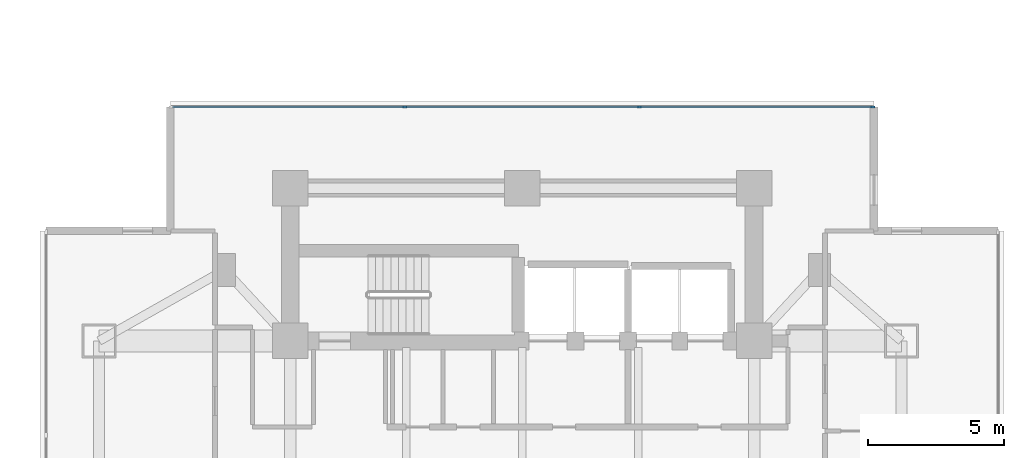
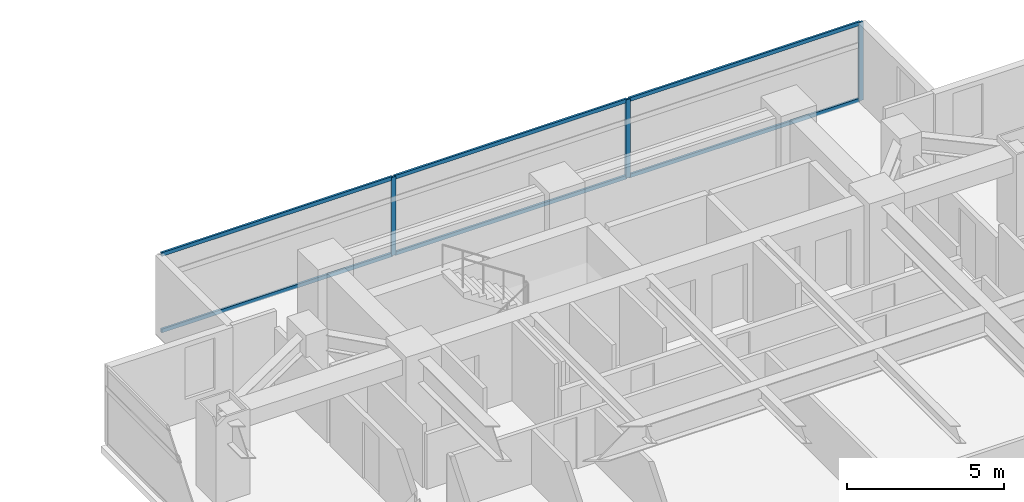
# One storey, part 12 of 27: 9 members, 1 element without a shape of its own.
"""IFC4 building model written with IfcOpenShell, lengths in metres."""

from ifc_helpers import new_model, si_unit, direction, frame, origin, origin_2d, place, context, subcontext, project, spatial, rectangle, extrude, material, material_profile, profile_set, type_object, element, aggregate, save


model = new_model("IFC4")

# Units and contexts
model_context = context("Model", 3, precision=1e-05, world=origin(), true_north=direction((0.0, 1.0)))
body_context = subcontext(model_context, "Body", "Model", "MODEL_VIEW")
ifc_project = project(units=[si_unit("LENGTHUNIT", "METRE"), si_unit("AREAUNIT", "SQUARE_METRE"), si_unit("VOLUMEUNIT", "CUBIC_METRE"), si_unit("PLANEANGLEUNIT", "RADIAN"), si_unit("MASSUNIT", "GRAM", prefix="KILO")], contexts=[model_context])

# Site, building, storey
site_placement = place(None, origin())
site = spatial("IfcSite", under=ifc_project, at=site_placement, CompositionType="ELEMENT")
building_placement = place(site_placement, origin())
building = spatial("IfcBuilding", under=site, at=building_placement, Name="Mirazonda Arch Towers", CompositionType="ELEMENT")
storey_placement = place(building_placement, frame((0.0, 0.0, 52.10009765625)))
storey = spatial("IfcBuildingStorey", under=building, at=storey_placement, Name="L14", CompositionType="ELEMENT", Elevation=52.10009765625)

# Curtain wall, members
ifc_material_1 = material(Name="Anodised Aluminium and Low-E Glass", Category="aluminium")
curtain_wall_type = type_object("IfcCurtainWallType", Name="CW-HTL-UNIT", PredefinedType="NOTDEFINED", material=ifc_material_1)
curtain_wall_placement = place(storey_placement, origin())
curtain_wall = element("IfcCurtainWall", 1, at=curtain_wall_placement, inside=storey, type_object=curtain_wall_type, Name="L14 T2 N Facade CW-L14-T2-N", PredefinedType="NOTDEFINED")
ifc_material_2 = material(Name="Anodised Aluminium Alloy", Category="aluminium")
ifc_material_profile_1 = material_profile(ifc_material_2, rectangle(XDim=0.074951171875, YDim=0.1650390625, at=origin_2d()), Name="ALU-MULL-75x165")
ifc_profile_set_1 = profile_set([ifc_material_profile_1], Name="Anodised Aluminium Alloy")
member_type_1 = type_object("IfcMemberType", Name="MULL-CW-HTL-UNIT", PredefinedType="MULLION", material=ifc_profile_set_1)
member_1_placement = place(storey_placement, frame((72.201904296875, 43.77587890625, 0.0), z_axis=(0.0, 0.0, 1.0), x_axis=(0.0, 1.0, 0.0)))
member_1 = element("IfcMember", 2, at=member_1_placement, type_object=member_type_1, Name="CW-112 mullion 2", PredefinedType="MULLION", context=body_context, shape_type="SweptSolid", body=[
    extrude(rectangle(XDim=0.074951171875, YDim=0.1650390625, at=origin_2d()), origin(), (0.0, 0.0, 1.0), 3.039794921875),
])
member_2_placement = place(storey_placement, frame((80.798095703125, 43.77587890625, 0.0), z_axis=(0.0, 0.0, 1.0), x_axis=(0.0, 1.0, 0.0)))
member_2 = element("IfcMember", 3, at=member_2_placement, type_object=member_type_1, Name="CW-112 mullion 3", PredefinedType="MULLION", context=body_context, shape_type="SweptSolid", body=[
    extrude(rectangle(XDim=0.074951171875, YDim=0.1650390625, at=origin_2d()), origin(), (0.0, 0.0, 1.0), 3.039794921875),
])
member_3_placement = place(storey_placement, frame((89.3564453125, 43.77587890625, 0.0), z_axis=(0.0, 0.0, 1.0), x_axis=(0.0, 1.0, 0.0)))
member_3 = element("IfcMember", 4, at=member_3_placement, type_object=member_type_1, Name="CW-112 mullion 4", PredefinedType="MULLION", context=body_context, shape_type="SweptSolid", body=[
    extrude(rectangle(XDim=0.074951171875, YDim=0.1650390625, at=origin_2d()), origin(), (0.0, 0.0, 1.0), 3.039794921875),
])
ifc_material_profile_2 = material_profile(ifc_material_2, rectangle(XDim=0.074951171875, YDim=0.14501953125, at=origin_2d()), Name="ALU-TRAN-75x145")
ifc_profile_set_2 = profile_set([ifc_material_profile_2], Name="Anodised Aluminium Alloy")
member_type_2 = type_object("IfcMemberType", Name="TRAN-CW-HTL-UNIT", PredefinedType="USERDEFINED", material=ifc_profile_set_2)
member_4_placement = place(storey_placement, frame((63.680908203125, 43.77587890625, 0.037353515625), z_axis=(1.0, 0.0, 0.0), x_axis=(0.0, 1.0, 0.0)))
member_4 = element("IfcMember", 5, at=member_4_placement, type_object=member_type_2, Name="CW-112 transom 1.1", ObjectType="TRANSOM", PredefinedType="USERDEFINED", context=body_context, shape_type="SweptSolid", body=[
    extrude(rectangle(XDim=0.074951171875, YDim=0.14501953125, at=origin_2d()), origin(), (0.0, 0.0, 1.0), 8.483642578125),
])
member_5_placement = place(storey_placement, frame((63.680908203125, 43.77587890625, 3.00244140625), z_axis=(1.0, 0.0, 0.0), x_axis=(0.0, 1.0, 0.0)))
member_5 = element("IfcMember", 6, at=member_5_placement, type_object=member_type_2, Name="CW-112 transom 1.2", ObjectType="TRANSOM", PredefinedType="USERDEFINED", context=body_context, shape_type="SweptSolid", body=[
    extrude(rectangle(XDim=0.074951171875, YDim=0.14501953125, at=origin_2d()), origin(), (0.0, 0.0, 1.0), 8.483642578125),
])
member_6_placement = place(storey_placement, frame((72.239501953125, 43.77587890625, 0.037353515625), z_axis=(1.0, 0.0, 0.0), x_axis=(0.0, 1.0, 0.0)))
member_6 = element("IfcMember", 7, at=member_6_placement, type_object=member_type_2, Name="CW-112 transom 2.1", ObjectType="TRANSOM", PredefinedType="USERDEFINED", context=body_context, shape_type="SweptSolid", body=[
    extrude(rectangle(XDim=0.074951171875, YDim=0.14501953125, at=origin_2d()), origin(), (0.0, 0.0, 1.0), 8.52099609375),
])
member_7_placement = place(storey_placement, frame((72.239501953125, 43.77587890625, 3.00244140625), z_axis=(1.0, 0.0, 0.0), x_axis=(0.0, 1.0, 0.0)))
member_7 = element("IfcMember", 8, at=member_7_placement, type_object=member_type_2, Name="CW-112 transom 2.2", ObjectType="TRANSOM", PredefinedType="USERDEFINED", context=body_context, shape_type="SweptSolid", body=[
    extrude(rectangle(XDim=0.074951171875, YDim=0.14501953125, at=origin_2d()), origin(), (0.0, 0.0, 1.0), 8.52099609375),
])
member_8_placement = place(storey_placement, frame((80.83544921875, 43.77587890625, 0.037353515625), z_axis=(1.0, 0.0, 0.0), x_axis=(0.0, 1.0, 0.0)))
member_8 = element("IfcMember", 9, at=member_8_placement, type_object=member_type_2, Name="CW-112 transom 3.1", ObjectType="TRANSOM", PredefinedType="USERDEFINED", context=body_context, shape_type="SweptSolid", body=[
    extrude(rectangle(XDim=0.074951171875, YDim=0.14501953125, at=origin_2d()), origin(), (0.0, 0.0, 1.0), 8.483642578125),
])
member_9_placement = place(storey_placement, frame((80.83544921875, 43.77587890625, 3.00244140625), z_axis=(1.0, 0.0, 0.0), x_axis=(0.0, 1.0, 0.0)))
member_9 = element("IfcMember", 10, at=member_9_placement, type_object=member_type_2, Name="CW-112 transom 3.2", ObjectType="TRANSOM", PredefinedType="USERDEFINED", context=body_context, shape_type="SweptSolid", body=[
    extrude(rectangle(XDim=0.074951171875, YDim=0.14501953125, at=origin_2d()), origin(), (0.0, 0.0, 1.0), 8.483642578125),
])
aggregate(curtain_wall, [member_1, member_2, member_3, member_4, member_5, member_6, member_7, member_8, member_9])

save(model, "model.ifc")
